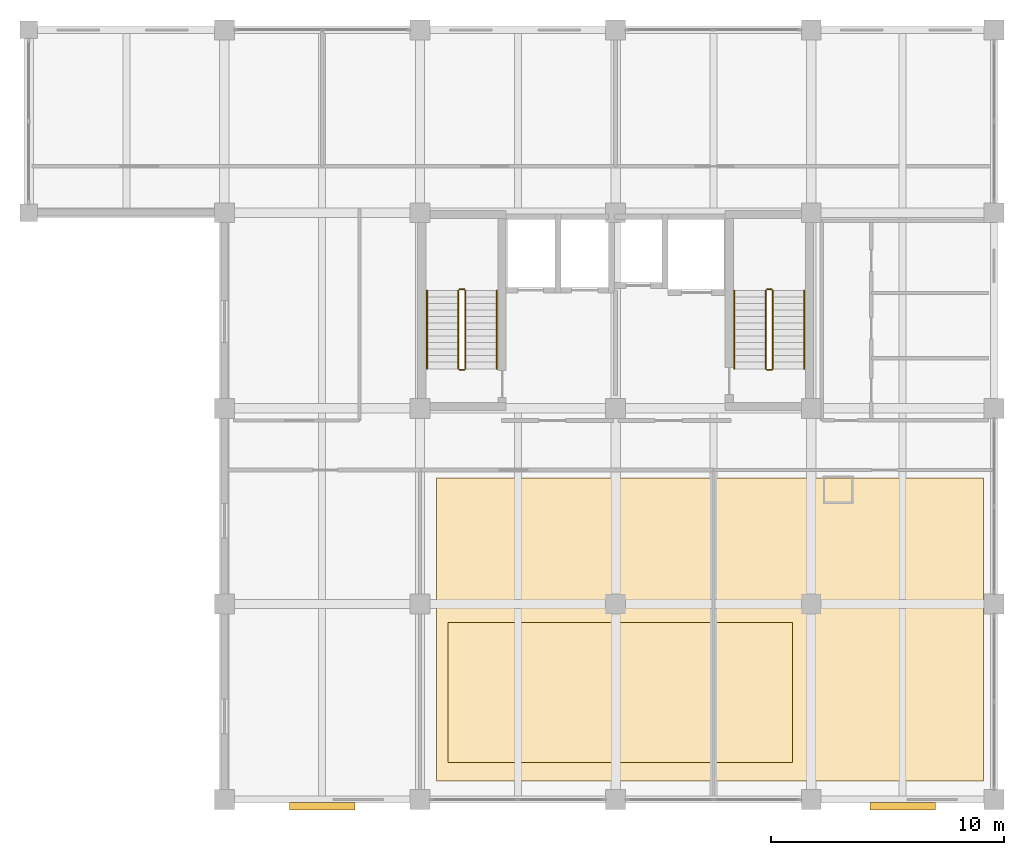
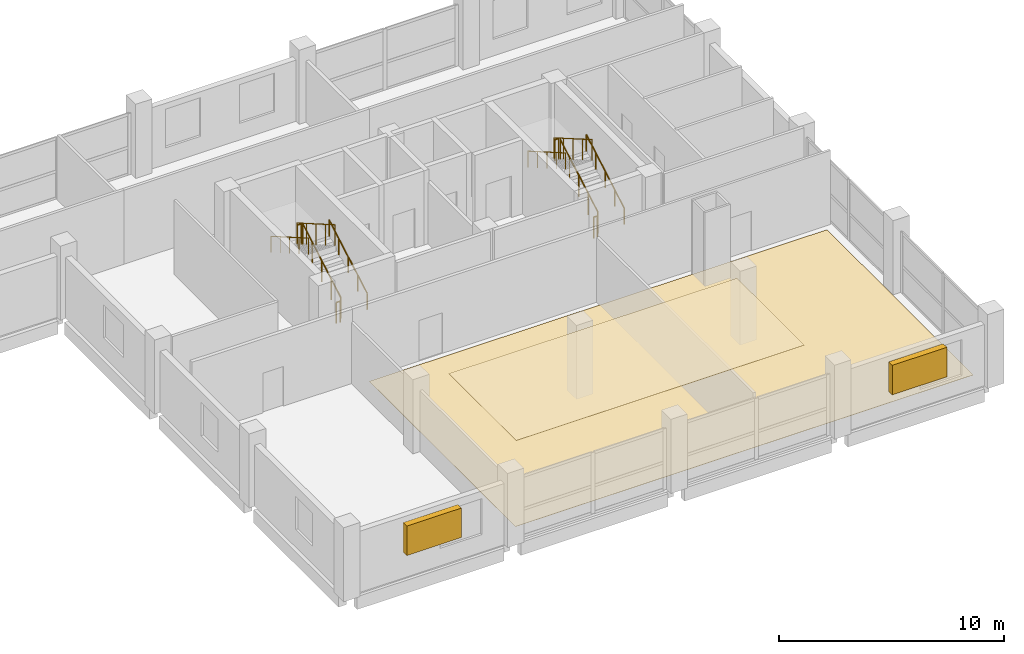
# One storey, part 9 of 9: 12 railings, 2 coverings, 2 shading devices.
"""IFC4 building model written with IfcOpenShell, lengths in metres."""

from ifc_helpers import new_model, si_unit, direction, frame, origin, origin_2d, place, context, subcontext, project, spatial, polyline, rectangle, circle, outline, extrude, material, layer, layer_set, type_object, element, save


model = new_model("IFC4")

# Units and contexts
model_context = context("Model", 3, precision=1e-05, world=origin(), true_north=direction((0.0, 1.0)))
body_context = subcontext(model_context, "Body", "Model", "MODEL_VIEW")
ifc_project = project(units=[si_unit("LENGTHUNIT", "METRE"), si_unit("AREAUNIT", "SQUARE_METRE"), si_unit("VOLUMEUNIT", "CUBIC_METRE"), si_unit("PLANEANGLEUNIT", "RADIAN"), si_unit("MASSUNIT", "GRAM", prefix="KILO")], contexts=[model_context])

# Site, building, storey
site_placement = place(None, origin())
site = spatial("IfcSite", under=ifc_project, at=site_placement, CompositionType="ELEMENT")
building_placement = place(site_placement, origin())
building = spatial("IfcBuilding", under=site, at=building_placement, Name="Brinegate Botanical Conservatory", CompositionType="ELEMENT")
storey_placement = place(building_placement, frame((0.0, 0.0, 36.0)))
storey = spatial("IfcBuildingStorey", under=building, at=storey_placement, Name="L09", CompositionType="ELEMENT", Elevation=36.0)

# Coverings
ifc_material_1 = material(Name="Moisture-resistant acoustic mineral-fibre ceiling board", Category="gypsum")
ifc_layer_1 = layer(ifc_material_1, 0.02001953125, Name="Moisture-resistant acoustic mineral-fibre ceiling board", Category="gypsum")
ifc_layer_set_1 = layer_set([ifc_layer_1], Name="Moisture-resistant acoustic mineral-fibre ceiling board")
covering_type_1 = type_object("IfcCoveringType", Name="Cov_CLG-LAB", PredefinedType="CEILING", material=ifc_layer_set_1)
covering_1_placement = place(storey_placement, frame((0.0, 0.0, 4.0)))
element("IfcCovering", 1, at=covering_1_placement, inside=storey, type_object=covering_type_1, Name="Laboratory acoustic mineral-fibre ceiling L09", PredefinedType="CEILING", context=body_context, shape_type="SweptSolid", body=[
    extrude(outline(polyline([(140.0, 80.0), (154.800048828125, 80.0), (154.800048828125, 86.0), (140.0, 86.0), (140.0, 80.0)])), origin(), (0.0, 0.0, 1.0), 0.02001953125),
])
ifc_material_2 = material(Name="Seamless chemical-resistant terrazzo and epoxy flooring", Category="concrete")
ifc_layer_2 = layer(ifc_material_2, 0.014892578125, Name="Seamless chemical-resistant terrazzo and epoxy flooring", Category="concrete")
ifc_layer_set_2 = layer_set([ifc_layer_2], Name="Seamless chemical-resistant terrazzo and epoxy flooring")
covering_type_2 = type_object("IfcCoveringType", Name="Cov_FLR-LAB", PredefinedType="FLOORING", material=ifc_layer_set_2)
covering_2_placement = place(storey_placement, origin())
element("IfcCovering", 2, at=covering_2_placement, inside=storey, type_object=covering_type_2, Name="Laboratory seamless terrazzo floor finish L09", PredefinedType="FLOORING", context=body_context, shape_type="SweptSolid", body=[
    extrude(outline(polyline([(139.5, 79.199951171875), (163.0, 79.199951171875), (163.0, 92.199951171875), (139.5, 92.199951171875), (139.5, 79.199951171875)])), origin(), (0.0, 0.0, 1.0), 0.014892578125),
])

# Railings
ifc_material_3 = material(Name="Structural steel Q355B / S355 painted tubular guardrail", Category="steel")
railing_type_1 = type_object("IfcRailingType", Name="Rail_ST-GRD", PredefinedType="GUARDRAIL", material=ifc_material_3)
railing_1_placement = place(storey_placement, frame((140.75, 96.89990234375, 0.16162109375)))
element("IfcRailing", 3, at=railing_1_placement, inside=storey, type_object=railing_type_1, Name="L09 ST1 stair guard 1", PredefinedType="GUARDRAIL", context=body_context, shape_type="SweptSolid", body=[
    extrude(circle(Radius=0.02392578125, at=origin_2d()), frame((0.0, 0.0, 1.1259765625), z_axis=(0.0, 0.866190824863, 0.499713372768), x_axis=(-1.0, 0.0, 0.0)), (0.0, 0.0, 1.0), 3.879150390625),
    extrude(circle(Radius=0.02099609375, at=origin_2d()), origin(), (0.0, 0.0, 1.0), 1.101806640625),
    extrude(circle(Radius=0.02099609375, at=origin_2d()), frame((0.0, 0.840087890625, 0.484619140625)), (0.0, 0.0, 1.0), 1.101806640625),
    extrude(circle(Radius=0.02099609375, at=origin_2d()), frame((0.0, 1.68017578125, 0.96923828125)), (0.0, 0.0, 1.0), 1.101806640625),
    extrude(circle(Radius=0.02099609375, at=origin_2d()), frame((0.0, 2.52001953125, 1.453857421875)), (0.0, 0.0, 1.0), 1.101806640625),
    extrude(circle(Radius=0.02099609375, at=origin_2d()), frame((0.0, 3.360107421875, 1.9384765625)), (0.0, 0.0, 1.0), 1.101806640625),
])
railing_2_placement = place(storey_placement, frame((140.699951171875, 100.31005859375, 2.10009765625)))
element("IfcRailing", 4, at=railing_2_placement, inside=storey, type_object=railing_type_1, Name="L09 ST1 stair guard 2", PredefinedType="GUARDRAIL", context=body_context, shape_type="SweptSolid", body=[
    extrude(circle(Radius=0.02392578125, at=origin_2d()), frame((0.0, 0.0, 1.1259765625), z_axis=(-1.0, 0.0, 0.0), x_axis=(0.0, -1.0, 0.0)), (0.0, 0.0, 1.0), 0.199951171875),
    extrude(circle(Radius=0.02099609375, at=origin_2d()), origin(), (0.0, 0.0, 1.0), 1.101806640625),
    extrude(circle(Radius=0.02099609375, at=origin_2d()), frame((-0.199951171875, 0.0, 0.0)), (0.0, 0.0, 1.0), 1.101806640625),
])
railing_3_placement = place(storey_placement, frame((140.449951171875, 100.260009765625, 2.261474609375)))
element("IfcRailing", 5, at=railing_3_placement, inside=storey, type_object=railing_type_1, Name="L09 ST1 stair guard 3", PredefinedType="GUARDRAIL", context=body_context, shape_type="SweptSolid", body=[
    extrude(circle(Radius=0.02392578125, at=origin_2d()), frame((0.0, 0.0, 1.1259765625), z_axis=(0.0, -0.866190824863, 0.499713372768), x_axis=(1.0, 0.0, 0.0)), (0.0, 0.0, 1.0), 3.879150390625),
    extrude(circle(Radius=0.02099609375, at=origin_2d()), origin(), (0.0, 0.0, 1.0), 1.101806640625),
    extrude(circle(Radius=0.02099609375, at=origin_2d()), frame((0.0, -0.840087890625, 0.484619140625)), (0.0, 0.0, 1.0), 1.101806640625),
    extrude(circle(Radius=0.02099609375, at=origin_2d()), frame((0.0, -1.68017578125, 0.96923828125)), (0.0, 0.0, 1.0), 1.101806640625),
    extrude(circle(Radius=0.02099609375, at=origin_2d()), frame((0.0, -2.52001953125, 1.453857421875)), (0.0, 0.0, 1.0), 1.101806640625),
    extrude(circle(Radius=0.02099609375, at=origin_2d()), frame((0.0, -3.360107421875, 1.9384765625)), (0.0, 0.0, 1.0), 1.101806640625),
])
railing_4_placement = place(storey_placement, frame((140.699951171875, 96.85009765625, 0.0)))
element("IfcRailing", 6, at=railing_4_placement, inside=storey, type_object=railing_type_1, Name="L09 ST1 stair guard 4", PredefinedType="GUARDRAIL", context=body_context, shape_type="SweptSolid", body=[
    extrude(circle(Radius=0.02392578125, at=origin_2d()), frame((0.0, 0.0, 1.1259765625), z_axis=(-1.0, 0.0, 0.0), x_axis=(0.0, -1.0, 0.0)), (0.0, 0.0, 1.0), 0.199951171875),
    extrude(circle(Radius=0.02099609375, at=origin_2d()), origin(), (0.0, 0.0, 1.0), 1.101806640625),
    extrude(circle(Radius=0.02099609375, at=origin_2d()), frame((-0.199951171875, 0.0, 0.0)), (0.0, 0.0, 1.0), 1.101806640625),
])
railing_5_placement = place(storey_placement, frame((153.949951171875, 96.89990234375, 0.16162109375)))
element("IfcRailing", 7, at=railing_5_placement, inside=storey, type_object=railing_type_1, Name="L09 ST2 stair guard 1", PredefinedType="GUARDRAIL", context=body_context, shape_type="SweptSolid", body=[
    extrude(circle(Radius=0.02392578125, at=origin_2d()), frame((0.0, 0.0, 1.1259765625), z_axis=(0.0, 0.866190824863, 0.499713372768), x_axis=(-1.0, 0.0, 0.0)), (0.0, 0.0, 1.0), 3.879150390625),
    extrude(circle(Radius=0.02099609375, at=origin_2d()), origin(), (0.0, 0.0, 1.0), 1.101806640625),
    extrude(circle(Radius=0.02099609375, at=origin_2d()), frame((0.0, 0.840087890625, 0.484619140625)), (0.0, 0.0, 1.0), 1.101806640625),
    extrude(circle(Radius=0.02099609375, at=origin_2d()), frame((0.0, 1.68017578125, 0.96923828125)), (0.0, 0.0, 1.0), 1.101806640625),
    extrude(circle(Radius=0.02099609375, at=origin_2d()), frame((0.0, 2.52001953125, 1.453857421875)), (0.0, 0.0, 1.0), 1.101806640625),
    extrude(circle(Radius=0.02099609375, at=origin_2d()), frame((0.0, 3.360107421875, 1.9384765625)), (0.0, 0.0, 1.0), 1.101806640625),
])
railing_6_placement = place(storey_placement, frame((153.89990234375, 100.31005859375, 2.10009765625)))
element("IfcRailing", 8, at=railing_6_placement, inside=storey, type_object=railing_type_1, Name="L09 ST2 stair guard 2", PredefinedType="GUARDRAIL", context=body_context, shape_type="SweptSolid", body=[
    extrude(circle(Radius=0.02392578125, at=origin_2d()), frame((0.0, 0.0, 1.1259765625), z_axis=(-1.0, 0.0, 0.0), x_axis=(0.0, -1.0, 0.0)), (0.0, 0.0, 1.0), 0.199951171875),
    extrude(circle(Radius=0.02099609375, at=origin_2d()), origin(), (0.0, 0.0, 1.0), 1.101806640625),
    extrude(circle(Radius=0.02099609375, at=origin_2d()), frame((-0.199951171875, 0.0, 0.0)), (0.0, 0.0, 1.0), 1.101806640625),
])
railing_7_placement = place(storey_placement, frame((153.64990234375, 100.260009765625, 2.261474609375)))
element("IfcRailing", 9, at=railing_7_placement, inside=storey, type_object=railing_type_1, Name="L09 ST2 stair guard 3", PredefinedType="GUARDRAIL", context=body_context, shape_type="SweptSolid", body=[
    extrude(circle(Radius=0.02392578125, at=origin_2d()), frame((0.0, 0.0, 1.1259765625), z_axis=(0.0, -0.866190824863, 0.499713372768), x_axis=(1.0, 0.0, 0.0)), (0.0, 0.0, 1.0), 3.879150390625),
    extrude(circle(Radius=0.02099609375, at=origin_2d()), origin(), (0.0, 0.0, 1.0), 1.101806640625),
    extrude(circle(Radius=0.02099609375, at=origin_2d()), frame((0.0, -0.840087890625, 0.484619140625)), (0.0, 0.0, 1.0), 1.101806640625),
    extrude(circle(Radius=0.02099609375, at=origin_2d()), frame((0.0, -1.68017578125, 0.96923828125)), (0.0, 0.0, 1.0), 1.101806640625),
    extrude(circle(Radius=0.02099609375, at=origin_2d()), frame((0.0, -2.52001953125, 1.453857421875)), (0.0, 0.0, 1.0), 1.101806640625),
    extrude(circle(Radius=0.02099609375, at=origin_2d()), frame((0.0, -3.360107421875, 1.9384765625)), (0.0, 0.0, 1.0), 1.101806640625),
])
railing_8_placement = place(storey_placement, frame((153.89990234375, 96.85009765625, 0.0)))
element("IfcRailing", 10, at=railing_8_placement, inside=storey, type_object=railing_type_1, Name="L09 ST2 stair guard 4", PredefinedType="GUARDRAIL", context=body_context, shape_type="SweptSolid", body=[
    extrude(circle(Radius=0.02392578125, at=origin_2d()), frame((0.0, 0.0, 1.1259765625), z_axis=(-1.0, 0.0, 0.0), x_axis=(0.0, -1.0, 0.0)), (0.0, 0.0, 1.0), 0.199951171875),
    extrude(circle(Radius=0.02099609375, at=origin_2d()), origin(), (0.0, 0.0, 1.0), 1.101806640625),
    extrude(circle(Radius=0.02099609375, at=origin_2d()), frame((-0.199951171875, 0.0, 0.0)), (0.0, 0.0, 1.0), 1.101806640625),
])
ifc_material_4 = material(Name="Brushed stainless steel S355 handrail", Category="steel")
railing_type_2 = type_object("IfcRailingType", Name="Rail_ST-HND", PredefinedType="HANDRAIL", material=ifc_material_4)
railing_9_placement = place(storey_placement, frame((142.10009765625, 96.89990234375, 0.16162109375)))
element("IfcRailing", 11, at=railing_9_placement, inside=storey, type_object=railing_type_2, Name="L09 ST1 stair handrail 1", PredefinedType="HANDRAIL", context=body_context, shape_type="SweptSolid", body=[
    extrude(circle(Radius=0.02392578125, at=origin_2d()), frame((0.0, 0.0, 0.8759765625), z_axis=(0.0, 0.866190824863, 0.499713372768), x_axis=(-1.0, 0.0, 0.0)), (0.0, 0.0, 1.0), 3.879150390625),
    extrude(circle(Radius=0.02099609375, at=origin_2d()), origin(), (0.0, 0.0, 1.0), 0.851806640625),
    extrude(circle(Radius=0.02099609375, at=origin_2d()), frame((0.0, 0.840087890625, 0.484619140625)), (0.0, 0.0, 1.0), 0.851806640625),
    extrude(circle(Radius=0.02099609375, at=origin_2d()), frame((0.0, 1.68017578125, 0.96923828125)), (0.0, 0.0, 1.0), 0.851806640625),
    extrude(circle(Radius=0.02099609375, at=origin_2d()), frame((0.0, 2.52001953125, 1.453857421875)), (0.0, 0.0, 1.0), 0.851806640625),
    extrude(circle(Radius=0.02099609375, at=origin_2d()), frame((0.0, 3.360107421875, 1.9384765625)), (0.0, 0.0, 1.0), 0.851806640625),
])
railing_10_placement = place(storey_placement, frame((139.10009765625, 100.260009765625, 2.261474609375)))
element("IfcRailing", 12, at=railing_10_placement, inside=storey, type_object=railing_type_2, Name="L09 ST1 stair handrail 2", PredefinedType="HANDRAIL", context=body_context, shape_type="SweptSolid", body=[
    extrude(circle(Radius=0.02392578125, at=origin_2d()), frame((0.0, 0.0, 0.8759765625), z_axis=(0.0, -0.866190824863, 0.499713372768), x_axis=(1.0, 0.0, 0.0)), (0.0, 0.0, 1.0), 3.879150390625),
    extrude(circle(Radius=0.02099609375, at=origin_2d()), origin(), (0.0, 0.0, 1.0), 0.851806640625),
    extrude(circle(Radius=0.02099609375, at=origin_2d()), frame((0.0, -0.840087890625, 0.484619140625)), (0.0, 0.0, 1.0), 0.851806640625),
    extrude(circle(Radius=0.02099609375, at=origin_2d()), frame((0.0, -1.68017578125, 0.96923828125)), (0.0, 0.0, 1.0), 0.851806640625),
    extrude(circle(Radius=0.02099609375, at=origin_2d()), frame((0.0, -2.52001953125, 1.453857421875)), (0.0, 0.0, 1.0), 0.851806640625),
    extrude(circle(Radius=0.02099609375, at=origin_2d()), frame((0.0, -3.360107421875, 1.9384765625)), (0.0, 0.0, 1.0), 0.851806640625),
])
railing_11_placement = place(storey_placement, frame((155.300048828125, 96.89990234375, 0.16162109375)))
element("IfcRailing", 13, at=railing_11_placement, inside=storey, type_object=railing_type_2, Name="L09 ST2 stair handrail 1", PredefinedType="HANDRAIL", context=body_context, shape_type="SweptSolid", body=[
    extrude(circle(Radius=0.02392578125, at=origin_2d()), frame((0.0, 0.0, 0.8759765625), z_axis=(0.0, 0.866190824863, 0.499713372768), x_axis=(-1.0, 0.0, 0.0)), (0.0, 0.0, 1.0), 3.879150390625),
    extrude(circle(Radius=0.02099609375, at=origin_2d()), origin(), (0.0, 0.0, 1.0), 0.851806640625),
    extrude(circle(Radius=0.02099609375, at=origin_2d()), frame((0.0, 0.840087890625, 0.484619140625)), (0.0, 0.0, 1.0), 0.851806640625),
    extrude(circle(Radius=0.02099609375, at=origin_2d()), frame((0.0, 1.68017578125, 0.96923828125)), (0.0, 0.0, 1.0), 0.851806640625),
    extrude(circle(Radius=0.02099609375, at=origin_2d()), frame((0.0, 2.52001953125, 1.453857421875)), (0.0, 0.0, 1.0), 0.851806640625),
    extrude(circle(Radius=0.02099609375, at=origin_2d()), frame((0.0, 3.360107421875, 1.9384765625)), (0.0, 0.0, 1.0), 0.851806640625),
])
railing_12_placement = place(storey_placement, frame((152.300048828125, 100.260009765625, 2.261474609375)))
element("IfcRailing", 14, at=railing_12_placement, inside=storey, type_object=railing_type_2, Name="L09 ST2 stair handrail 2", PredefinedType="HANDRAIL", context=body_context, shape_type="SweptSolid", body=[
    extrude(circle(Radius=0.02392578125, at=origin_2d()), frame((0.0, 0.0, 0.8759765625), z_axis=(0.0, -0.866190824863, 0.499713372768), x_axis=(1.0, 0.0, 0.0)), (0.0, 0.0, 1.0), 3.879150390625),
    extrude(circle(Radius=0.02099609375, at=origin_2d()), origin(), (0.0, 0.0, 1.0), 0.851806640625),
    extrude(circle(Radius=0.02099609375, at=origin_2d()), frame((0.0, -0.840087890625, 0.484619140625)), (0.0, 0.0, 1.0), 0.851806640625),
    extrude(circle(Radius=0.02099609375, at=origin_2d()), frame((0.0, -1.68017578125, 0.96923828125)), (0.0, 0.0, 1.0), 0.851806640625),
    extrude(circle(Radius=0.02099609375, at=origin_2d()), frame((0.0, -2.52001953125, 1.453857421875)), (0.0, 0.0, 1.0), 0.851806640625),
    extrude(circle(Radius=0.02099609375, at=origin_2d()), frame((0.0, -3.360107421875, 1.9384765625)), (0.0, 0.0, 1.0), 0.851806640625),
])

# Shading devices
ifc_material_5 = material(Name="Anodised aluminium AW-6063-T6 solar-storm fin bank", Category="aluminium")
shading_device_type = type_object("IfcShadingDeviceType", Name="Shade_SLV-02", PredefinedType="JALOUSIE", material=ifc_material_5)
for number, where, z_axis, x_axis, name in (
    (15, (134.60009765625, 78.110107421875, 1.39990234375), (0.0, 0.0, 1.0), (1.0, 0.0, 0.0), "Research lab south storm louvre L09.1"),
    (16, (159.52490234375, 78.110107421875, 1.39990234375), (0.0, 0.0, 1.0), (1.0, 0.0, 0.0), "Research lab south storm louvre L09.4"),
):
    element("IfcShadingDevice", number, at=place(storey_placement, frame(where, z_axis=z_axis, x_axis=x_axis)), inside=storey, type_object=shading_device_type, Name=name, PredefinedType="JALOUSIE", context=body_context, shape_type="SweptSolid", body=[
        extrude(rectangle(XDim=2.800048828125, YDim=0.320068359375, at=origin_2d()), origin(), (0.0, 0.0, 1.0), 1.60009765625),
    ])

save(model, "model.ifc")
